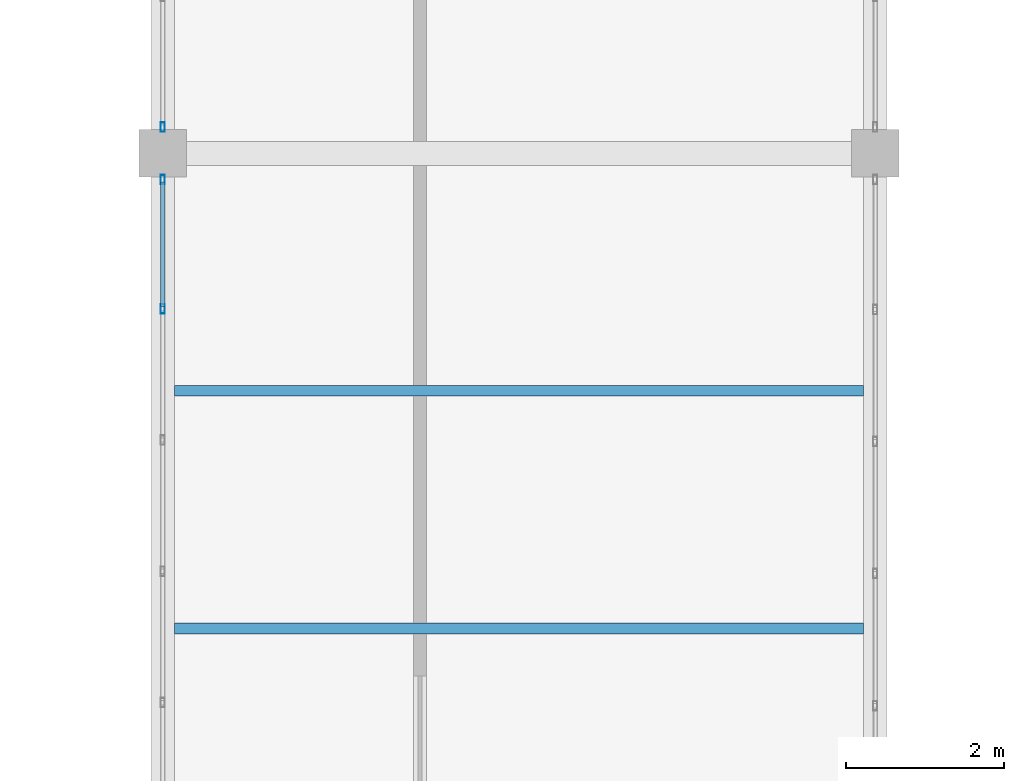
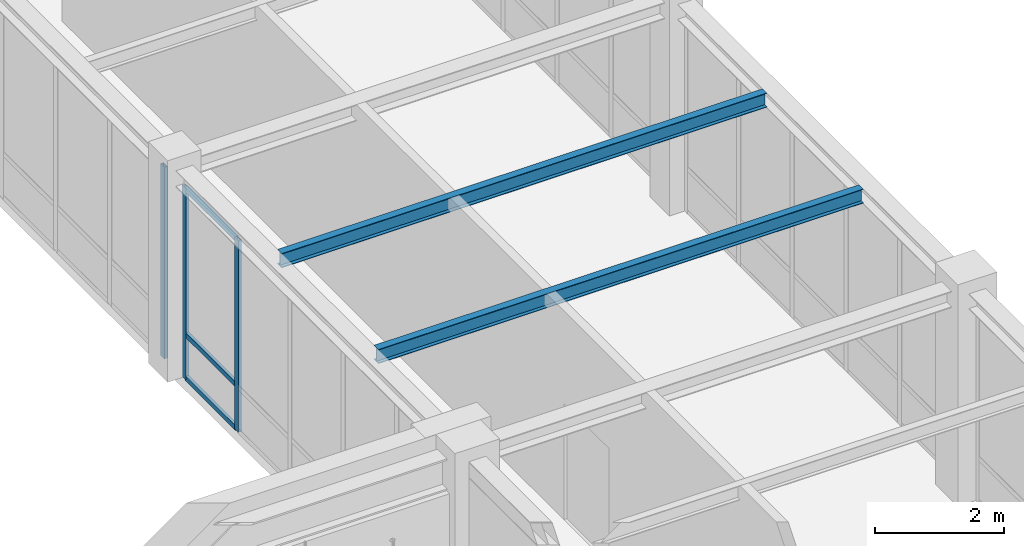
# One storey, part 29 of 130: 6 members, 2 beams, 2 elements without a shape of their own.
"""IFC4 building model written with IfcOpenShell, lengths in metres."""

from ifc_helpers import new_model, si_unit, direction, frame, origin, origin_2d, place, context, subcontext, project, spatial, hollow_rectangle, i_section, extrude, material, material_profile, profile_set, type_object, element, aggregate, save


model = new_model("IFC4")

# Units and contexts
model_context = context("Model", 3, precision=1e-05, world=origin(), true_north=direction((0.0, 1.0)))
body_context = subcontext(model_context, "Body", "Model", "MODEL_VIEW")
ifc_project = project(units=[si_unit("LENGTHUNIT", "METRE"), si_unit("AREAUNIT", "SQUARE_METRE"), si_unit("VOLUMEUNIT", "CUBIC_METRE"), si_unit("PLANEANGLEUNIT", "RADIAN"), si_unit("MASSUNIT", "GRAM", prefix="KILO")], contexts=[model_context])

# Site, building, storey
site_placement = place(None, origin())
site = spatial("IfcSite", under=ifc_project, at=site_placement, CompositionType="ELEMENT")
building_placement = place(site_placement, origin())
building = spatial("IfcBuilding", under=site, at=building_placement, Name="Lykobir Media Centre", CompositionType="ELEMENT")
storey_placement = place(building_placement, frame((0.0, 0.0, 19.199951171875)))
storey = spatial("IfcBuildingStorey", under=building, at=storey_placement, Name="L04", CompositionType="ELEMENT", Elevation=19.199951171875)

# Curtain wall, members
ifc_material_1 = material(Name="Anodized Aluminium AW-6060", Category="aluminium")
curtain_wall_type = type_object("IfcCurtainWallType", Name="CW-COURT-B", PredefinedType="NOTDEFINED", material=ifc_material_1)
curtain_wall_1_placement = place(storey_placement, origin())
curtain_wall_1 = element("IfcCurtainWall", 1, at=curtain_wall_1_placement, inside=storey, type_object=curtain_wall_type, Name="Curtain wall CW2-L04-0167", PredefinedType="NOTDEFINED")
ifc_material_profile_1 = material_profile(ifc_material_1, hollow_rectangle(XDim=0.054931640625, YDim=0.1201171875, WallThickness=0.003173828125, at=origin_2d()), Name="ALU MULLION 55x120")
ifc_profile_set_1 = profile_set([ifc_material_profile_1], Name="Anodized Aluminium AW-6060")
member_type_1 = type_object("IfcMemberType", Name="CWM-120", PredefinedType="MULLION", material=ifc_profile_set_1)
member_1_placement = place(storey_placement, frame((27.0, 52.037109375, 0.0), z_axis=(0.0, 0.0, 1.0), x_axis=(-1.0, 0.0, 0.0)))
member_1 = element("IfcMember", 2, at=member_1_placement, type_object=member_type_1, Name="CW2-L04-0167 mullion 5", PredefinedType="MULLION", context=body_context, shape_type="SweptSolid", body=[
    extrude(hollow_rectangle(XDim=0.054931640625, YDim=0.1201171875, WallThickness=0.003173828125, at=origin_2d()), origin(), (0.0, 0.0, 1.0), 3.635009765625),
])
member_2_placement = place(storey_placement, frame((27.0, 53.66748046875, 0.0), z_axis=(0.0, 0.0, 1.0), x_axis=(-1.0, 0.0, 0.0)))
member_2 = element("IfcMember", 3, at=member_2_placement, type_object=member_type_1, Name="CW2-L04-0167 mullion 6", PredefinedType="MULLION", context=body_context, shape_type="SweptSolid", body=[
    extrude(hollow_rectangle(XDim=0.054931640625, YDim=0.1201171875, WallThickness=0.003173828125, at=origin_2d()), origin(), (0.0, 0.0, 1.0), 3.635009765625),
])

# Curtain wall, member
curtain_wall_2_placement = place(storey_placement, origin())
curtain_wall_2 = element("IfcCurtainWall", 4, at=curtain_wall_2_placement, inside=storey, type_object=curtain_wall_type, Name="Curtain wall CW2-L04-0168", PredefinedType="NOTDEFINED")
member_3_placement = place(storey_placement, frame((27.0, 54.33251953125, 0.0), z_axis=(0.0, 0.0, 1.0), x_axis=(-1.0, 0.0, 0.0)))
member_3 = element("IfcMember", 5, at=member_3_placement, type_object=member_type_1, Name="CW2-L04-0168 mullion 1", PredefinedType="MULLION", context=body_context, shape_type="SweptSolid", body=[
    extrude(hollow_rectangle(XDim=0.054931640625, YDim=0.1201171875, WallThickness=0.003173828125, at=origin_2d()), origin(), (0.0, 0.0, 1.0), 3.635009765625),
])
aggregate(curtain_wall_2, [member_3])

# Member
ifc_material_profile_2 = material_profile(ifc_material_1, hollow_rectangle(XDim=0.054931640625, YDim=0.094970703125, WallThickness=0.0029296875, at=origin_2d()), Name="ALU TRANSOM 55x95")
ifc_profile_set_2 = profile_set([ifc_material_profile_2], Name="Anodized Aluminium AW-6060")
member_type_2 = type_object("IfcMemberType", Name="CWT-095", PredefinedType="USERDEFINED", material=ifc_profile_set_2)
member_4_placement = place(storey_placement, frame((27.0, 52.064453125, 0.027587890625), z_axis=(0.0, 1.0, 0.0), x_axis=(-1.0, 0.0, 0.0)))
member_4 = element("IfcMember", 6, at=member_4_placement, type_object=member_type_2, Name="CW2-L04-0167 transom 5.1", ObjectType="TRANSOM", PredefinedType="USERDEFINED", context=body_context, shape_type="SweptSolid", body=[
    extrude(hollow_rectangle(XDim=0.054931640625, YDim=0.094970703125, WallThickness=0.0029296875, at=origin_2d()), origin(), (0.0, 0.0, 1.0), 1.575439453125),
])

member_5_placement = place(storey_placement, frame((27.0, 52.064453125, 0.85009765625), z_axis=(0.0, 1.0, 0.0), x_axis=(-1.0, 0.0, 0.0)))
member_5 = element("IfcMember", 7, at=member_5_placement, type_object=member_type_2, Name="CW2-L04-0167 transom 5.2", ObjectType="TRANSOM", PredefinedType="USERDEFINED", context=body_context, shape_type="SweptSolid", body=[
    extrude(hollow_rectangle(XDim=0.054931640625, YDim=0.094970703125, WallThickness=0.0029296875, at=origin_2d()), origin(), (0.0, 0.0, 1.0), 1.575439453125),
])

member_6_placement = place(storey_placement, frame((27.0, 52.064453125, 3.607666015625), z_axis=(0.0, 1.0, 0.0), x_axis=(-1.0, 0.0, 0.0)))
member_6 = element("IfcMember", 8, at=member_6_placement, type_object=member_type_2, Name="CW2-L04-0167 transom 5.3", ObjectType="TRANSOM", PredefinedType="USERDEFINED", context=body_context, shape_type="SweptSolid", body=[
    extrude(hollow_rectangle(XDim=0.054931640625, YDim=0.094970703125, WallThickness=0.0029296875, at=origin_2d()), origin(), (0.0, 0.0, 1.0), 1.575439453125),
])

aggregate(curtain_wall_1, [member_1, member_2, member_4, member_5, member_6])

# Beams
ifc_material_2 = material(Name="Steel S355", Category="steel")
ifc_material_profile_3 = material_profile(ifc_material_2, i_section(OverallWidth=0.135009765625, OverallDepth=0.27001953125, WebThickness=0.006591796875, FlangeThickness=0.01025390625, at=origin_2d()), Name="IPE 270")
ifc_profile_set_3 = profile_set([ifc_material_profile_3], Name="Steel S355")
beam_type = type_object("IfcBeamType", Name="JS-IPE270", PredefinedType="JOIST", material=ifc_profile_set_3)
for number, where, z_axis, x_axis, name in (
    (9, (27.14990234375, 48.0, 3.824951171875), (1.0, 0.0, 0.0), (0.0, 1.0, 0.0), "Beam BM-L04-0272-0480-0358-0480-2302"),
    (10, (27.14990234375, 51.0, 3.824951171875), (1.0, 0.0, 0.0), (0.0, 1.0, 0.0), "Beam BM-L04-0272-0510-0358-0510-2302"),
):
    element("IfcBeam", number, at=place(storey_placement, frame(where, z_axis=z_axis, x_axis=x_axis)), inside=storey, type_object=beam_type, Name=name, PredefinedType="JOIST", context=body_context, shape_type="SweptSolid", body=[
        extrude(i_section(OverallWidth=0.135009765625, OverallDepth=0.27001953125, WebThickness=0.006591796875, FlangeThickness=0.01025390625, at=origin_2d()), origin(), (0.0, 0.0, 1.0), 8.7001953125),
    ])

save(model, "model.ifc")
